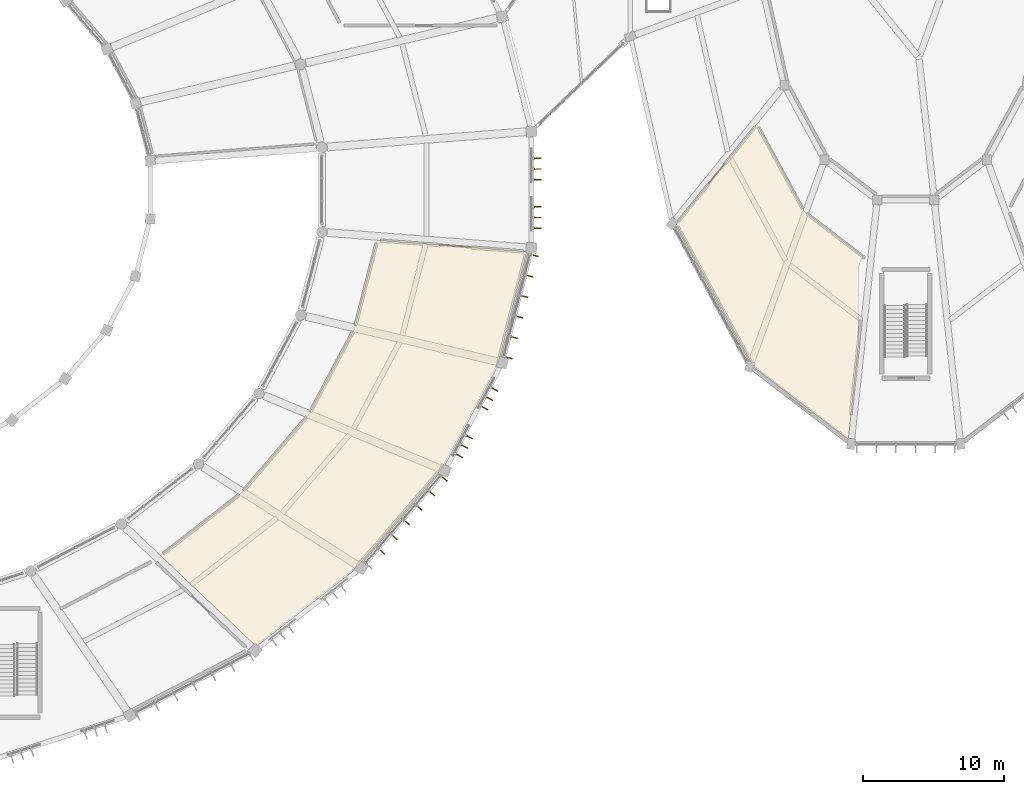
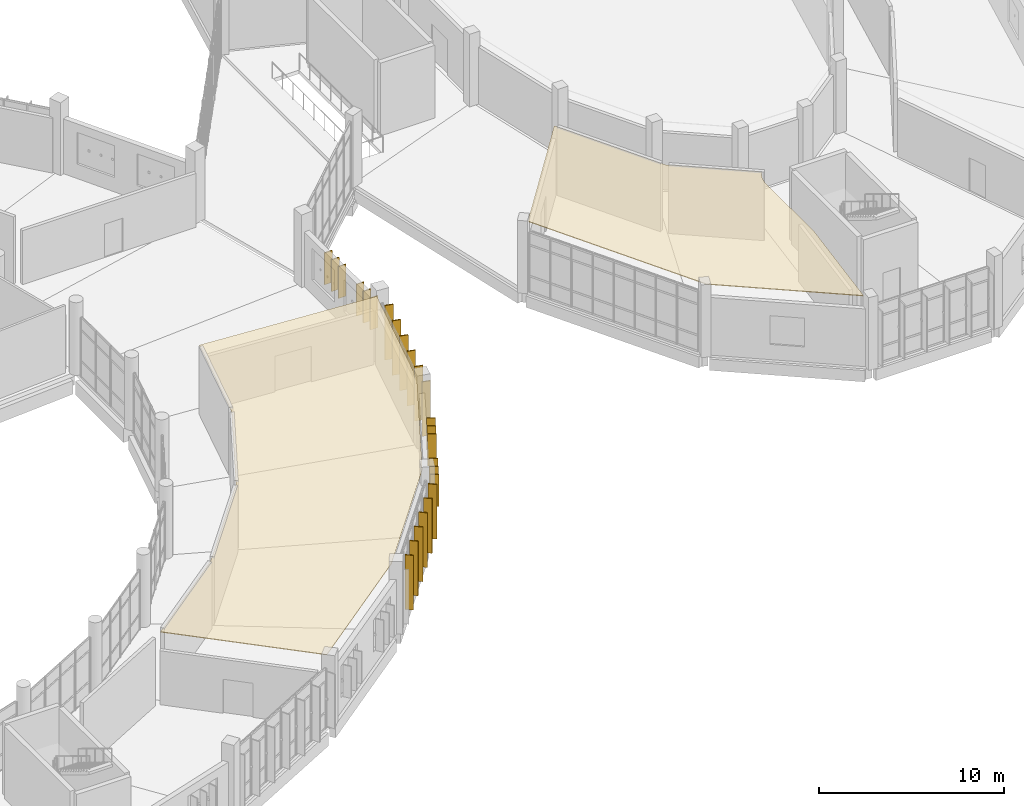
# One storey, part 163 of 179: 24 shading devices, 2 coverings.
"""IFC4 building model written with IfcOpenShell, lengths in metres."""

from ifc_helpers import new_model, si_unit, direction, frame, origin, origin_2d, place, context, subcontext, project, spatial, polyline, rectangle, outline, extrude, material, layer, layer_set, type_object, element, save


model = new_model("IFC4")

# Units and contexts
model_context = context("Model", 3, precision=1e-05, world=origin(), true_north=direction((0.0, 1.0)))
body_context = subcontext(model_context, "Body", "Model", "MODEL_VIEW")
ifc_project = project(units=[si_unit("LENGTHUNIT", "METRE"), si_unit("AREAUNIT", "SQUARE_METRE"), si_unit("VOLUMEUNIT", "CUBIC_METRE"), si_unit("PLANEANGLEUNIT", "RADIAN"), si_unit("MASSUNIT", "GRAM", prefix="KILO")], contexts=[model_context])

# Site, building, storey
site_placement = place(None, origin())
site = spatial("IfcSite", under=ifc_project, at=site_placement, CompositionType="ELEMENT")
building_placement = place(site_placement, origin())
building = spatial("IfcBuilding", under=site, at=building_placement, Name="Corvandel Quay Wholesale Market", CompositionType="ELEMENT")
storey_placement = place(building_placement, frame((0.0, 0.0, 6.0)))
storey = spatial("IfcBuildingStorey", under=building, at=storey_placement, Name="L01", CompositionType="ELEMENT", Elevation=6.0)

# Coverings
ifc_material_1 = material(Name="Perforated powder-coated aluminium acoustic panel", Category="aluminium")
ifc_layer = layer(ifc_material_1, 0.044921875)
ifc_layer_set = layer_set([ifc_layer], Name="Perforated powder-coated aluminium acoustic panel")
covering_type = type_object("IfcCoveringType", Name="Perforated Acoustic Baffle Ceiling CLG01", PredefinedType="CEILING", material=ifc_layer_set)
covering_1_placement = place(storey_placement, frame((0.0, 0.0, 4.31005859375)))
element("IfcCovering", 1, at=covering_1_placement, inside=storey, type_object=covering_type, Name="Suspended Ceiling CLG-004", PredefinedType="CEILING", context=body_context, shape_type="SweptSolid", body=[
    extrude(outline(polyline([(152.214111328125, 26.089111328125), (155.4560546875, 32.177978515625), (157.056884765625, 38.424072265625), (157.056884765625, 38.426025390625), (157.05810546875, 38.427978515625), (157.05908203125, 38.428955078125), (157.06005859375, 38.430908203125), (157.06103515625, 38.43310546875), (157.06298828125, 38.43408203125), (157.06396484375, 38.43505859375), (157.06591796875, 38.43603515625), (157.068115234375, 38.43701171875), (157.070068359375, 38.43798828125), (157.072021484375, 38.43896484375), (157.073974609375, 38.43896484375), (157.075927734375, 38.43896484375), (157.077880859375, 38.43896484375), (167.64794921875, 37.62890625), (167.64892578125, 37.62890625), (167.65087890625, 37.6279296875), (167.653076171875, 37.6279296875), (167.655029296875, 37.626953125), (167.656982421875, 37.6259765625), (167.657958984375, 37.625), (167.659912109375, 37.6240234375), (167.660888671875, 37.6220703125), (167.662109375, 37.62109375), (167.6630859375, 37.618896484375), (167.6640625, 37.616943359375), (167.6650390625, 37.615966796875), (167.6650390625, 37.614013671875), (167.666015625, 37.612060546875), (167.666015625, 37.610107421875), (167.666015625, 37.60791015625), (167.666015625, 37.60595703125), (167.6650390625, 37.60400390625), (165.680908203125, 29.845947265625), (165.680908203125, 29.843994140625), (165.679931640625, 29.842041015625), (161.638916015625, 22.256103515625), (161.637939453125, 22.25390625), (161.635986328125, 22.251953125), (155.76611328125, 15.41796875), (155.764892578125, 15.4169921875), (155.762939453125, 15.4150390625), (148.452880859375, 9.72900390625), (148.451904296875, 9.72802734375), (148.449951171875, 9.72705078125), (148.447998046875, 9.72607421875), (148.446044921875, 9.72607421875), (148.444091796875, 9.72509765625), (148.44189453125, 9.72509765625), (148.43994140625, 9.72509765625), (148.43798828125, 9.72509765625), (148.43603515625, 9.72607421875), (148.43408203125, 9.72607421875), (148.431884765625, 9.72705078125), (148.429931640625, 9.72802734375), (148.428955078125, 9.72900390625), (148.427001953125, 9.72998046875), (141.739013671875, 16.069091796875), (141.738037109375, 16.071044921875), (141.737060546875, 16.072021484375), (141.736083984375, 16.073974609375), (141.735107421875, 16.075927734375), (141.73388671875, 16.076904296875), (141.73388671875, 16.0791015625), (141.73291015625, 16.0810546875), (141.73291015625, 16.0830078125), (141.73291015625, 16.0849609375), (141.73291015625, 16.0869140625), (141.73388671875, 16.089111328125), (141.73388671875, 16.091064453125), (141.735107421875, 16.092041015625), (141.736083984375, 16.093994140625), (141.737060546875, 16.095947265625), (141.738037109375, 16.096923828125), (141.739013671875, 16.09912109375), (141.740966796875, 16.10009765625), (147.451904296875, 20.5419921875), (152.214111328125, 26.089111328125)])), origin(), (0.0, 0.0, 1.0), 0.044921875),
])
covering_2_placement = place(storey_placement, frame((0.0, 0.0, 4.389892578125)))
element("IfcCovering", 2, at=covering_2_placement, inside=storey, type_object=covering_type, Name="Suspended Ceiling CLG-019", PredefinedType="CEILING", context=body_context, shape_type="SweptSolid", body=[
    extrude(outline(polyline([(190.447998046875, 24.446044921875), (190.447021484375, 24.444091796875), (190.446044921875, 24.44189453125), (190.446044921875, 24.44091796875), (190.445068359375, 24.43896484375), (190.443115234375, 24.43701171875), (190.44189453125, 24.43603515625), (190.44091796875, 24.43505859375), (190.43896484375, 24.43310546875), (190.43798828125, 24.431884765625), (190.43603515625, 24.431884765625), (190.43408203125, 24.430908203125), (190.431884765625, 24.429931640625), (190.429931640625, 24.429931640625), (190.427978515625, 24.429931640625), (190.426025390625, 24.429931640625), (190.425048828125, 24.429931640625), (190.423095703125, 24.430908203125), (190.4208984375, 24.430908203125), (190.4189453125, 24.431884765625), (190.4169921875, 24.43310546875), (190.416015625, 24.43408203125), (183.62890625, 29.6240234375), (183.626953125, 29.625), (183.6259765625, 29.626953125), (183.625, 29.62890625), (183.623046875, 29.6298828125), (178.238037109375, 39.571044921875), (178.238037109375, 39.572998046875), (178.237060546875, 39.574951171875), (178.236083984375, 39.576904296875), (178.236083984375, 39.5791015625), (178.236083984375, 39.5810546875), (178.236083984375, 39.5830078125), (178.236083984375, 39.5849609375), (178.237060546875, 39.5869140625), (178.237060546875, 39.589111328125), (178.238037109375, 39.590087890625), (178.239013671875, 39.592041015625), (178.239990234375, 39.593994140625), (183.944091796875, 46.6298828125), (183.946044921875, 46.631103515625), (183.947021484375, 46.632080078125), (183.948974609375, 46.634033203125), (183.949951171875, 46.635009765625), (183.951904296875, 46.635009765625), (183.9541015625, 46.635986328125), (183.9560546875, 46.636962890625), (183.9580078125, 46.636962890625), (183.9599609375, 46.636962890625), (183.9619140625, 46.636962890625), (183.964111328125, 46.636962890625), (183.966064453125, 46.635986328125), (183.968017578125, 46.635986328125), (183.968994140625, 46.635009765625), (183.970947265625, 46.634033203125), (183.972900390625, 46.633056640625), (183.97412109375, 46.631103515625), (183.97509765625, 46.6298828125), (183.97705078125, 46.6279296875), (183.97802734375, 46.626953125), (187.31494140625, 40.47412109375), (191.501953125, 37.264892578125), (191.452880859375, 37.199951171875), (191.363037109375, 37.049072265625), (191.287109375, 36.888916015625), (191.22802734375, 36.722900390625), (191.18505859375, 36.551025390625), (191.158935546875, 36.3759765625), (191.14990234375, 36.199951171875), (191.14990234375, 30.962890625), (190.447998046875, 24.447998046875), (190.447998046875, 24.446044921875)])), origin(), (0.0, 0.0, 1.0), 0.045166015625),
])

# Shading devices
ifc_material_2 = material(Name="Bronze anodised extruded aluminium 6063-T6", Category="aluminium")
shading_device_type = type_object("IfcShadingDeviceType", Name="Vertical Anodised Bronze Solar Fin FN01 480mm", PredefinedType="JALOUSIE", material=ifc_material_2)
for number, where, z_axis, x_axis, name in (
    (3, (157.41357421875, 16.353515625, 0.175048828125), (0.0, 0.0, 1.0), (-0.758589401976, 0.651568967347, 0.0), "Solar Fin 0224"),
    (4, (158.30078125, 17.38623046875, 0.175048828125), (0.0, 0.0, 1.0), (-0.758589401976, 0.651568967347, 0.0), "Solar Fin 0225"),
    (5, (159.187744140625, 18.4189453125, 0.175048828125), (0.0, 0.0, 1.0), (-0.758589401976, 0.651568967347, 0.0), "Solar Fin 0226"),
    (6, (160.074951171875, 19.45166015625, 0.175048828125), (0.0, 0.0, 1.0), (-0.758589401976, 0.651568967347, 0.0), "Solar Fin 0227"),
    (7, (160.9619140625, 20.484375, 0.175048828125), (0.0, 0.0, 1.0), (-0.758589401976, 0.651568967347, 0.0), "Solar Fin 0228"),
    (8, (161.84912109375, 21.51708984375, 0.175048828125), (0.0, 0.0, 1.0), (-0.758589401976, 0.651568967347, 0.0), "Solar Fin 0229"),
):
    element("IfcShadingDevice", number, at=place(storey_placement, frame(where, z_axis=z_axis, x_axis=x_axis)), inside=storey, type_object=shading_device_type, Name=name, PredefinedType="JALOUSIE", context=body_context, shape_type="SweptSolid", body=[
        extrude(rectangle(XDim=0.47998046875, YDim=0.06494140625, at=origin_2d()), origin(), (0.0, 0.0, 1.0), 3.60009765625),
    ])
for number, where, z_axis, x_axis, name in (
    (9, (162.909912109375, 23.15234375, 0.949951171875), (0.0, 0.0, 1.0), (-0.882619624736, 0.470087862033, 0.0), "Solar Fin 0234"),
    (10, (163.262451171875, 23.814453125, 0.949951171875), (0.0, 0.0, 1.0), (-0.882619624736, 0.470087862033, 0.0), "Solar Fin 0235"),
    (11, (163.614990234375, 24.476318359375, 0.949951171875), (0.0, 0.0, 1.0), (-0.882619624736, 0.470087862033, 0.0), "Solar Fin 0236"),
    (12, (164.705810546875, 26.52392578125, 0.949951171875), (0.0, 0.0, 1.0), (-0.882619624736, 0.470087862033, 0.0), "Solar Fin 0237"),
    (13, (165.058349609375, 27.185791015625, 0.949951171875), (0.0, 0.0, 1.0), (-0.882619624736, 0.470087862033, 0.0), "Solar Fin 0238"),
    (14, (165.410888671875, 27.847900390625, 0.949951171875), (0.0, 0.0, 1.0), (-0.882619624736, 0.470087862033, 0.0), "Solar Fin 0239"),
):
    element("IfcShadingDevice", number, at=place(storey_placement, frame(where, z_axis=z_axis, x_axis=x_axis)), inside=storey, type_object=shading_device_type, Name=name, PredefinedType="JALOUSIE", context=body_context, shape_type="SweptSolid", body=[
        extrude(rectangle(XDim=0.47998046875, YDim=0.06494140625, at=origin_2d()), origin(), (0.0, 0.0, 1.0), 2.10009765625),
    ])
for number, where, z_axis, x_axis, name in (
    (15, (166.40478515625, 30.0908203125, 0.175048828125), (0.0, 0.0, 1.0), (-0.968843057437, 0.247675453076, 0.0), "Solar Fin 0246"),
    (16, (166.775146484375, 31.539306640625, 0.175048828125), (0.0, 0.0, 1.0), (-0.968843057437, 0.247675453076, 0.0), "Solar Fin 0247"),
    (17, (167.1455078125, 32.98779296875, 0.175048828125), (0.0, 0.0, 1.0), (-0.968843057437, 0.247675453076, 0.0), "Solar Fin 0248"),
    (18, (167.515869140625, 34.43603515625, 0.175048828125), (0.0, 0.0, 1.0), (-0.968843057437, 0.247675453076, 0.0), "Solar Fin 0249"),
    (19, (167.88623046875, 35.884521484375, 0.175048828125), (0.0, 0.0, 1.0), (-0.968843057437, 0.247675453076, 0.0), "Solar Fin 0250"),
    (20, (168.256591796875, 37.3330078125, 0.175048828125), (0.0, 0.0, 1.0), (-0.968843057437, 0.247675453076, 0.0), "Solar Fin 0251"),
):
    element("IfcShadingDevice", number, at=place(storey_placement, frame(where, z_axis=z_axis, x_axis=x_axis)), inside=storey, type_object=shading_device_type, Name=name, PredefinedType="JALOUSIE", context=body_context, shape_type="SweptSolid", body=[
        extrude(rectangle(XDim=0.47998046875, YDim=0.06494140625, at=origin_2d()), origin(), (0.0, 0.0, 1.0), 3.60009765625),
    ])
for number, where, z_axis, x_axis, name in (
    (21, (168.43994140625, 39.282958984375, 0.949951171875), (0.0, 0.0, 1.0), (1.0, 0.0, 0.0), "Solar Fin 0252"),
    (22, (168.43994140625, 40.032958984375, 0.949951171875), (0.0, 0.0, 1.0), (1.0, 0.0, 0.0), "Solar Fin 0253"),
    (23, (168.43994140625, 40.782958984375, 0.949951171875), (0.0, 0.0, 1.0), (1.0, 0.0, 0.0), "Solar Fin 0254"),
    (24, (168.43994140625, 42.717041015625, 0.949951171875), (0.0, 0.0, 1.0), (1.0, 0.0, 0.0), "Solar Fin 0255"),
    (25, (168.43994140625, 43.467041015625, 0.949951171875), (0.0, 0.0, 1.0), (1.0, 0.0, 0.0), "Solar Fin 0256"),
    (26, (168.43994140625, 44.217041015625, 0.949951171875), (0.0, 0.0, 1.0), (1.0, 0.0, 0.0), "Solar Fin 0257"),
):
    element("IfcShadingDevice", number, at=place(storey_placement, frame(where, z_axis=z_axis, x_axis=x_axis)), inside=storey, type_object=shading_device_type, Name=name, PredefinedType="JALOUSIE", context=body_context, shape_type="SweptSolid", body=[
        extrude(rectangle(XDim=0.47998046875, YDim=0.06494140625, at=origin_2d()), origin(), (0.0, 0.0, 1.0), 2.10009765625),
    ])

save(model, "model.ifc")
